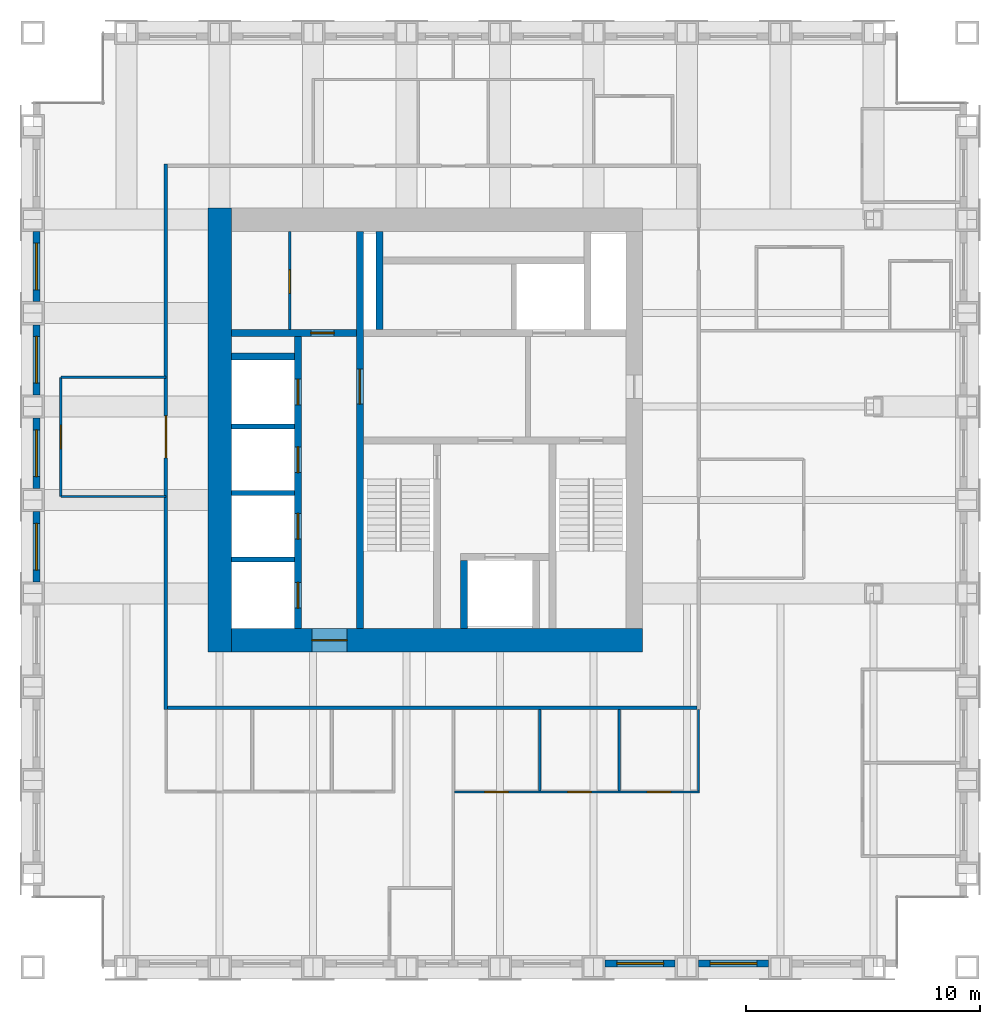
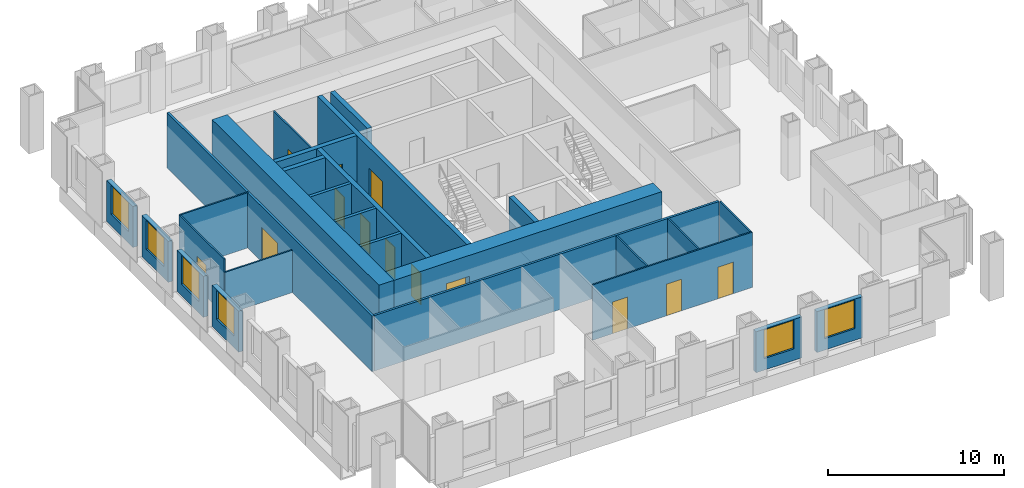
# One storey, part 8 of 13: 27 walls, 13 doors, 6 windows, 19 openings.
"""IFC4 building model written with IfcOpenShell, lengths in metres."""

from ifc_helpers import new_model, si_unit, direction, frame, frame_2d, origin, place, context, subcontext, project, spatial, rectangle, extrude, material, layer, layer_set, type_object, element, fill, save


model = new_model("IFC4")

# Units and contexts
model_context = context("Model", 3, precision=1e-05, world=origin(), true_north=direction((0.0, 1.0)))
body_context = subcontext(model_context, "Body", "Model", "MODEL_VIEW")
ifc_project = project(units=[si_unit("LENGTHUNIT", "METRE"), si_unit("AREAUNIT", "SQUARE_METRE"), si_unit("VOLUMEUNIT", "CUBIC_METRE"), si_unit("PLANEANGLEUNIT", "RADIAN"), si_unit("MASSUNIT", "GRAM", prefix="KILO")], contexts=[model_context])

# Site, building, storey
site_placement = place(None, origin())
site = spatial("IfcSite", under=ifc_project, at=site_placement, CompositionType="ELEMENT")
building_placement = place(site_placement, origin())
building = spatial("IfcBuilding", under=site, at=building_placement, Name="Rimbunsela Tower", CompositionType="ELEMENT")
storey_placement = place(building_placement, frame((0.0, 0.0, 258.199951171875)))
storey = spatial("IfcBuildingStorey", under=building, at=storey_placement, Name="L62", CompositionType="ELEMENT", Elevation=258.199951171875)

# Wall, opening, door
ifc_material_1 = material(Name="Concrete fc' 80 MPa", Category="concrete")
ifc_layer_1 = layer(ifc_material_1, 0.300048828125)
ifc_layer_set_1 = layer_set([ifc_layer_1], Name="Core internal wall 300")
wall_type_1 = type_object("IfcWallType", Name="Core internal wall 300", PredefinedType="SHEAR", material=ifc_layer_set_1)
wall_1_placement = place(storey_placement, frame((24.0, 18.5, -0.14990234375), z_axis=(0.0, 0.0, 1.0), x_axis=(0.0, 1.0, 0.0)))
wall_1 = element("IfcWall", 1, at=wall_1_placement, inside=storey, type_object=wall_type_1, Name="Core wall at stair A", PredefinedType="SHEAR", context=body_context, shape_type="SweptSolid", body=[
    extrude(rectangle(XDim=17.0, YDim=0.300048828125, at=frame_2d((8.5, 0.0))), origin(), (0.0, 0.0, 1.0), 4.0),
])
opening_1_placement = place(wall_1_placement, frame((9.60009765625, 0.0, 0.14990234375)))
opening_1 = element("IfcOpeningElement", 2, at=opening_1_placement, cuts=wall_1, Name="Opening D03", PredefinedType="OPENING", context=body_context, shape_type="SweptSolid", body=[
    extrude(rectangle(XDim=1.5, YDim=2.39990234375, at=frame_2d((0.75, 1.199951171875))), frame((0.0, 0.159912109375, 0.0), z_axis=(0.0, -1.0, 0.0), x_axis=(1.0, 0.0, 0.0)), (0.0, 0.0, 1.0), 0.320068359375),
])
ifc_material_2 = material(Name="Steel door, fire rated", Category="steel")
door_type_1 = type_object("IfcDoorType", Name="Core lobby door 1500", OperationType="DOUBLE_DOOR_DOUBLE_SWING", PredefinedType="DOOR", material=ifc_material_2)
door_1_placement = place(opening_1_placement, origin())
door_1 = element("IfcDoor", 3, at=door_1_placement, inside=storey, type_object=door_type_1, Name="West lobby door", OperationType="DOUBLE_DOOR_DOUBLE_SWING", OverallHeight=2.39990234375, OverallWidth=1.5, PredefinedType="DOOR", context=body_context, shape_type="SweptSolid", body=[
    extrude(rectangle(XDim=1.5, YDim=2.39990234375, at=frame_2d((0.75, 1.199951171875))), frame((0.0, 0.02490234375, 0.0), z_axis=(0.0, -1.0, 0.0), x_axis=(1.0, 0.0, 0.0)), (0.0, 0.0, 1.0), 0.050048828125),
])
fill(opening_1, door_1)

# Wall
wall_2_placement = place(storey_placement, frame((28.449951171875, 18.5, -0.14990234375), z_axis=(0.0, 0.0, 1.0), x_axis=(0.0, 1.0, 0.0)))
element("IfcWall", 4, at=wall_2_placement, inside=storey, type_object=wall_type_1, Name="Firefighting lift shaft west", PredefinedType="SHEAR", context=body_context, shape_type="SweptSolid", body=[
    extrude(rectangle(XDim=2.89990234375, YDim=0.300048828125, at=frame_2d((1.449951171875, 0.0))), origin(), (0.0, 0.0, 1.0), 4.0),
])

# Wall, openings, doors
wall_3_placement = place(storey_placement, frame((21.35009765625, 18.5, -0.14990234375), z_axis=(0.0, 0.0, 1.0), x_axis=(0.0, 1.0, 0.0)))
wall_3 = element("IfcWall", 5, at=wall_3_placement, inside=storey, type_object=wall_type_1, Name="Lift shaft front west", PredefinedType="SHEAR", context=body_context, shape_type="SweptSolid", body=[
    extrude(rectangle(XDim=12.5, YDim=0.300048828125, at=frame_2d((6.25, 0.0))), origin(), (0.0, 0.0, 1.0), 4.0),
])
opening_2_placement = place(wall_3_placement, frame((0.875, 0.0, 0.14990234375)))
opening_2 = element("IfcOpeningElement", 6, at=opening_2_placement, cuts=wall_3, Name="Opening LD1", PredefinedType="OPENING", context=body_context, shape_type="SweptSolid", body=[
    extrude(rectangle(XDim=1.10009765625, YDim=2.199951171875, at=frame_2d((0.550048828125, 1.10009765625))), frame((0.0, 0.159912109375, 0.0), z_axis=(0.0, -1.0, 0.0), x_axis=(1.0, 0.0, 0.0)), (0.0, 0.0, 1.0), 0.320068359375),
])
opening_3_placement = place(wall_3_placement, frame((3.824951171875, 0.0, 0.14990234375)))
opening_3 = element("IfcOpeningElement", 7, at=opening_3_placement, cuts=wall_3, Name="Opening LD1", PredefinedType="OPENING", context=body_context, shape_type="SweptSolid", body=[
    extrude(rectangle(XDim=1.10009765625, YDim=2.199951171875, at=frame_2d((0.550048828125, 1.10009765625))), frame((0.0, 0.159912109375, 0.0), z_axis=(0.0, -1.0, 0.0), x_axis=(1.0, 0.0, 0.0)), (0.0, 0.0, 1.0), 0.320068359375),
])
opening_4_placement = place(wall_3_placement, frame((6.675048828125, 0.0, 0.14990234375)))
opening_4 = element("IfcOpeningElement", 8, at=opening_4_placement, cuts=wall_3, Name="Opening LD1", PredefinedType="OPENING", context=body_context, shape_type="SweptSolid", body=[
    extrude(rectangle(XDim=1.10009765625, YDim=2.199951171875, at=frame_2d((0.550048828125, 1.10009765625))), frame((0.0, 0.159912109375, 0.0), z_axis=(0.0, -1.0, 0.0), x_axis=(1.0, 0.0, 0.0)), (0.0, 0.0, 1.0), 0.320068359375),
])
opening_5_placement = place(wall_3_placement, frame((9.574951171875, 0.0, 0.14990234375)))
opening_5 = element("IfcOpeningElement", 9, at=opening_5_placement, cuts=wall_3, Name="Opening LD1", PredefinedType="OPENING", context=body_context, shape_type="SweptSolid", body=[
    extrude(rectangle(XDim=1.10009765625, YDim=2.199951171875, at=frame_2d((0.550048828125, 1.10009765625))), frame((0.0, 0.159912109375, 0.0), z_axis=(0.0, -1.0, 0.0), x_axis=(1.0, 0.0, 0.0)), (0.0, 0.0, 1.0), 0.320068359375),
])
ifc_material_3 = material(Name="Steel door, fire rated", Category="steel")
door_type_2 = type_object("IfcDoorType", Name="Lift landing door 1100", OperationType="DOUBLE_DOOR_SLIDING", PredefinedType="DOOR", material=ifc_material_3)
door_2_placement = place(opening_2_placement, origin())
door_2 = element("IfcDoor", 10, at=door_2_placement, inside=storey, type_object=door_type_2, Name="Lift landing door TL1", OperationType="DOUBLE_DOOR_SLIDING", OverallHeight=2.199951171875, OverallWidth=1.10009765625, PredefinedType="DOOR", context=body_context, shape_type="SweptSolid", body=[
    extrude(rectangle(XDim=1.10009765625, YDim=2.199951171875, at=frame_2d((0.550048828125, 1.10009765625))), frame((0.0, 0.02490234375, 0.0), z_axis=(0.0, -1.0, 0.0), x_axis=(1.0, 0.0, 0.0)), (0.0, 0.0, 1.0), 0.050048828125),
])
fill(opening_2, door_2)
door_3_placement = place(opening_3_placement, origin())
door_3 = element("IfcDoor", 11, at=door_3_placement, inside=storey, type_object=door_type_2, Name="Lift landing door TL2", OperationType="DOUBLE_DOOR_SLIDING", OverallHeight=2.199951171875, OverallWidth=1.10009765625, PredefinedType="DOOR", context=body_context, shape_type="SweptSolid", body=[
    extrude(rectangle(XDim=1.10009765625, YDim=2.199951171875, at=frame_2d((0.550048828125, 1.10009765625))), frame((0.0, 0.02490234375, 0.0), z_axis=(0.0, -1.0, 0.0), x_axis=(1.0, 0.0, 0.0)), (0.0, 0.0, 1.0), 0.050048828125),
])
fill(opening_3, door_3)
door_4_placement = place(opening_4_placement, origin())
door_4 = element("IfcDoor", 12, at=door_4_placement, inside=storey, type_object=door_type_2, Name="Lift landing door TL3", OperationType="DOUBLE_DOOR_SLIDING", OverallHeight=2.199951171875, OverallWidth=1.10009765625, PredefinedType="DOOR", context=body_context, shape_type="SweptSolid", body=[
    extrude(rectangle(XDim=1.10009765625, YDim=2.199951171875, at=frame_2d((0.550048828125, 1.10009765625))), frame((0.0, 0.02490234375, 0.0), z_axis=(0.0, -1.0, 0.0), x_axis=(1.0, 0.0, 0.0)), (0.0, 0.0, 1.0), 0.050048828125),
])
fill(opening_4, door_4)
door_5_placement = place(opening_5_placement, origin())
door_5 = element("IfcDoor", 13, at=door_5_placement, inside=storey, type_object=door_type_2, Name="Lift landing door TL4", OperationType="DOUBLE_DOOR_SLIDING", OverallHeight=2.199951171875, OverallWidth=1.10009765625, PredefinedType="DOOR", context=body_context, shape_type="SweptSolid", body=[
    extrude(rectangle(XDim=1.10009765625, YDim=2.199951171875, at=frame_2d((0.550048828125, 1.10009765625))), frame((0.0, 0.02490234375, 0.0), z_axis=(0.0, -1.0, 0.0), x_axis=(1.0, 0.0, 0.0)), (0.0, 0.0, 1.0), 0.050048828125),
])
fill(opening_5, door_5)

# Wall, opening, door
wall_4_placement = place(storey_placement, frame((18.5, 31.14990234375, -0.14990234375), z_axis=(0.0, 0.0, 1.0), x_axis=(1.0, 0.0, 0.0)))
wall_4 = element("IfcWall", 14, at=wall_4_placement, inside=storey, type_object=wall_type_1, Name="Store wall", PredefinedType="SHEAR", context=body_context, shape_type="SweptSolid", body=[
    extrude(rectangle(XDim=5.35009765625, YDim=0.300048828125, at=frame_2d((2.675048828125, 0.0))), origin(), (0.0, 0.0, 1.0), 4.0),
])
opening_6_placement = place(wall_4_placement, frame((3.39990234375, 0.0, 0.14990234375)))
opening_6 = element("IfcOpeningElement", 15, at=opening_6_placement, cuts=wall_4, Name="Opening D19", PredefinedType="OPENING", context=body_context, shape_type="SweptSolid", body=[
    extrude(rectangle(XDim=1.0, YDim=2.199951171875, at=frame_2d((0.5, 1.10009765625))), frame((0.0, 0.159912109375, 0.0), z_axis=(0.0, -1.0, 0.0), x_axis=(1.0, 0.0, 0.0)), (0.0, 0.0, 1.0), 0.320068359375),
])
ifc_material_4 = material(Name="Steel door, fire rated", Category="steel")
door_type_3 = type_object("IfcDoorType", Name="Service door 1000 fire rated", OperationType="SINGLE_SWING_LEFT", PredefinedType="DOOR", material=ifc_material_4)
door_6_placement = place(opening_6_placement, origin())
door_6 = element("IfcDoor", 16, at=door_6_placement, inside=storey, type_object=door_type_3, Name="Facilities store door", OperationType="SINGLE_SWING_LEFT", OverallHeight=2.199951171875, OverallWidth=1.0, PredefinedType="DOOR", context=body_context, shape_type="SweptSolid", body=[
    extrude(rectangle(XDim=1.0, YDim=2.199951171875, at=frame_2d((0.5, 1.10009765625))), frame((0.0, 0.02490234375, 0.0), z_axis=(0.0, -1.0, 0.0), x_axis=(1.0, 0.0, 0.0)), (0.0, 0.0, 1.0), 0.050048828125),
])
fill(opening_6, door_6)

# Walls
wall_5_placement = place(storey_placement, frame((18.5, 30.14990234375, -0.14990234375), z_axis=(0.0, 0.0, 1.0), x_axis=(1.0, 0.0, 0.0)))
element("IfcWall", 17, at=wall_5_placement, inside=storey, type_object=wall_type_1, Name="Lift shaft rear west", PredefinedType="SHEAR", context=body_context, shape_type="SweptSolid", body=[
    extrude(rectangle(XDim=2.699951171875, YDim=0.300048828125, at=frame_2d((1.35009765625, 0.0))), origin(), (0.0, 0.0, 1.0), 4.0),
])
wall_6_placement = place(storey_placement, frame((24.85009765625, 31.300048828125, -0.14990234375), z_axis=(0.0, 0.0, 1.0), x_axis=(0.0, 1.0, 0.0)))
element("IfcWall", 18, at=wall_6_placement, inside=storey, type_object=wall_type_1, Name="Riser wall", PredefinedType="SHEAR", context=body_context, shape_type="SweptSolid", body=[
    extrude(rectangle(XDim=4.199951171875, YDim=0.300048828125, at=frame_2d((2.10009765625, 0.0))), origin(), (0.0, 0.0, 1.0), 4.0),
])

# Wall, opening, door
ifc_material_5 = material(Name="Concrete blockwork", Category="masonry")
ifc_layer_2 = layer(ifc_material_5, 0.10009765625)
ifc_layer_set_2 = layer_set([ifc_layer_2], Name="Core room partition 100")
wall_type_2 = type_object("IfcWallType", Name="Core room partition 100", PredefinedType="PARTITIONING", material=ifc_layer_set_2)
wall_7_placement = place(storey_placement, frame((21.0, 31.300048828125, 0.0), z_axis=(0.0, 0.0, 1.0), x_axis=(0.0, 1.0, 0.0)))
wall_7 = element("IfcWall", 19, at=wall_7_placement, inside=storey, type_object=wall_type_2, Name="Equipment store wall", PredefinedType="PARTITIONING", context=body_context, shape_type="SweptSolid", body=[
    extrude(rectangle(XDim=4.199951171875, YDim=0.10009765625, at=frame_2d((2.10009765625, 0.0))), origin(), (0.0, 0.0, 1.0), 3.85009765625),
])
opening_7_placement = place(wall_7_placement, frame((1.550048828125, 0.0, 0.0)))
opening_7 = element("IfcOpeningElement", 20, at=opening_7_placement, cuts=wall_7, Name="Opening D19", PredefinedType="OPENING", context=body_context, shape_type="SweptSolid", body=[
    extrude(rectangle(XDim=1.0, YDim=2.199951171875, at=frame_2d((0.5, 1.10009765625))), frame((0.0, 0.06005859375, 0.0), z_axis=(0.0, -1.0, 0.0), x_axis=(1.0, 0.0, 0.0)), (0.0, 0.0, 1.0), 0.1201171875),
])
door_7_placement = place(opening_7_placement, origin())
door_7 = element("IfcDoor", 21, at=door_7_placement, inside=storey, type_object=door_type_3, Name="Equipment store door", OperationType="SINGLE_SWING_LEFT", OverallHeight=2.199951171875, OverallWidth=1.0, PredefinedType="DOOR", context=body_context, shape_type="SweptSolid", body=[
    extrude(rectangle(XDim=1.0, YDim=2.199951171875, at=frame_2d((0.5, 1.10009765625))), frame((0.0, 0.02490234375, 0.0), z_axis=(0.0, -1.0, 0.0), x_axis=(1.0, 0.0, 0.0)), (0.0, 0.0, 1.0), 0.050048828125),
])
fill(opening_7, door_7)

# Wall
ifc_material_6 = material(Name="Concrete fc' 80 MPa", Category="concrete")
ifc_layer_3 = layer(ifc_material_6, 1.0)
ifc_layer_set_3 = layer_set([ifc_layer_3], Name="Core wall 1000")
wall_type_3 = type_object("IfcWallType", Name="Core wall 1000", PredefinedType="SHEAR", material=ifc_layer_set_3)
wall_8_placement = place(storey_placement, frame((18.0, 17.5, -0.14990234375), z_axis=(0.0, 0.0, 1.0), x_axis=(0.0, 1.0, 0.0)))
element("IfcWall", 22, at=wall_8_placement, inside=storey, type_object=wall_type_3, Name="Core wall west", PredefinedType="SHEAR", context=body_context, shape_type="SweptSolid", body=[
    extrude(rectangle(XDim=19.0, YDim=1.0, at=frame_2d((9.5, 0.0))), origin(), (0.0, 0.0, 1.0), 4.0),
])

# Wall, opening, door
wall_9_placement = place(storey_placement, frame((18.5, 18.0, -0.14990234375), z_axis=(0.0, 0.0, 1.0), x_axis=(1.0, 0.0, 0.0)))
wall_9 = element("IfcWall", 23, at=wall_9_placement, inside=storey, type_object=wall_type_3, Name="Core wall south", PredefinedType="SHEAR", context=body_context, shape_type="SweptSolid", body=[
    extrude(rectangle(XDim=17.60009765625, YDim=1.0, at=frame_2d((8.800048828125, 0.0))), origin(), (0.0, 0.0, 1.0), 4.0),
])
opening_8_placement = place(wall_9_placement, frame((3.449951171875, 0.0, 0.14990234375)))
opening_8 = element("IfcOpeningElement", 24, at=opening_8_placement, cuts=wall_9, Name="Opening D03", PredefinedType="OPENING", context=body_context, shape_type="SweptSolid", body=[
    extrude(rectangle(XDim=1.5, YDim=2.39990234375, at=frame_2d((0.75, 1.199951171875))), frame((0.0, 0.510009765625, 0.0), z_axis=(0.0, -1.0, 0.0), x_axis=(1.0, 0.0, 0.0)), (0.0, 0.0, 1.0), 1.02001953125),
])
door_8_placement = place(opening_8_placement, origin())
door_8 = element("IfcDoor", 25, at=door_8_placement, inside=storey, type_object=door_type_1, Name="Core door south", OperationType="DOUBLE_DOOR_DOUBLE_SWING", OverallHeight=2.39990234375, OverallWidth=1.5, PredefinedType="DOOR", context=body_context, shape_type="SweptSolid", body=[
    extrude(rectangle(XDim=1.5, YDim=2.39990234375, at=frame_2d((0.75, 1.199951171875))), frame((0.0, 0.02490234375, 0.0), z_axis=(0.0, -1.0, 0.0), x_axis=(1.0, 0.0, 0.0)), (0.0, 0.0, 1.0), 0.050048828125),
])
fill(opening_8, door_8)

# Walls
ifc_material_7 = material(Name="Concrete blockwork", Category="masonry")
ifc_layer_4 = layer(ifc_material_7, 0.199951171875)
ifc_layer_set_4 = layer_set([ifc_layer_4], Name="Lift shaft wall 200")
wall_type_4 = type_object("IfcWallType", Name="Lift shaft wall 200", PredefinedType="SOLIDWALL", material=ifc_layer_set_4)
for number, where, z_axis, x_axis, name in (
    (26, (18.5, 21.449951171875, -0.14990234375), (0.0, 0.0, 1.0), (1.0, 0.0, 0.0), "Lift shaft separation"),
    (27, (18.5, 24.300048828125, -0.14990234375), (0.0, 0.0, 1.0), (1.0, 0.0, 0.0), "Lift shaft separation"),
    (28, (18.5, 27.14990234375, -0.14990234375), (0.0, 0.0, 1.0), (1.0, 0.0, 0.0), "Lift shaft separation"),
):
    element("IfcWall", number, at=place(storey_placement, frame(where, z_axis=z_axis, x_axis=x_axis)), inside=storey, type_object=wall_type_4, Name=name, PredefinedType="SOLIDWALL", context=body_context, shape_type="SweptSolid", body=[
        extrude(rectangle(XDim=2.699951171875, YDim=0.199951171875, at=frame_2d((1.35009765625, 0.0))), origin(), (0.0, 0.0, 1.0), 4.0),
    ])

# Wall, openings, doors
ifc_material_8 = material(Name="Gypsum board on steel studs", Category="steel")
ifc_layer_5 = layer(ifc_material_8, 0.10009765625)
ifc_layer_set_5 = layer_set([ifc_layer_5], Name="Office partition 100")
wall_type_5 = type_object("IfcWallType", Name="Office partition 100", PredefinedType="PARTITIONING", material=ifc_layer_set_5)
wall_10_placement = place(storey_placement, frame((28.06103515625, 11.5, 0.0), z_axis=(0.0, 0.0, 1.0), x_axis=(1.0, 0.0, 0.0)))
wall_10 = element("IfcWall", 29, at=wall_10_placement, inside=storey, type_object=wall_type_5, Name="Office partition", PredefinedType="PARTITIONING", context=body_context, shape_type="SweptSolid", body=[
    extrude(rectangle(XDim=10.489013671875, YDim=0.10009765625, at=frame_2d((5.24462890625, 0.0))), origin(), (0.0, 0.0, 1.0), 3.85009765625),
])
opening_9_placement = place(wall_10_placement, frame((1.2900390625, 0.0, 0.0)))
opening_9 = element("IfcOpeningElement", 30, at=opening_9_placement, cuts=wall_10, Name="Opening D17", PredefinedType="OPENING", context=body_context, shape_type="SweptSolid", body=[
    extrude(rectangle(XDim=1.0, YDim=2.199951171875, at=frame_2d((0.5, 1.10009765625))), frame((0.0, 0.06005859375, 0.0), z_axis=(0.0, -1.0, 0.0), x_axis=(1.0, 0.0, 0.0)), (0.0, 0.0, 1.0), 0.1201171875),
])
opening_10_placement = place(wall_10_placement, frame((4.840087890625, 0.0, 0.0)))
opening_10 = element("IfcOpeningElement", 31, at=opening_10_placement, cuts=wall_10, Name="Opening D16", PredefinedType="OPENING", context=body_context, shape_type="SweptSolid", body=[
    extrude(rectangle(XDim=1.0, YDim=2.199951171875, at=frame_2d((0.5, 1.10009765625))), frame((0.0, 0.06005859375, 0.0), z_axis=(0.0, -1.0, 0.0), x_axis=(1.0, 0.0, 0.0)), (0.0, 0.0, 1.0), 0.1201171875),
])
opening_11_placement = place(wall_10_placement, frame((8.239501953125, 0.0, 0.0)))
opening_11 = element("IfcOpeningElement", 32, at=opening_11_placement, cuts=wall_10, Name="Opening D16", PredefinedType="OPENING", context=body_context, shape_type="SweptSolid", body=[
    extrude(rectangle(XDim=1.0, YDim=2.199951171875, at=frame_2d((0.5, 1.10009765625))), frame((0.0, 0.06005859375, 0.0), z_axis=(0.0, -1.0, 0.0), x_axis=(1.0, 0.0, 0.0)), (0.0, 0.0, 1.0), 0.1201171875),
])
ifc_material_9 = material(Name="Glazed aluminium door", Category="aluminium")
door_type_4 = type_object("IfcDoorType", Name="Meeting room door 1000 glazed", OperationType="SINGLE_SWING_RIGHT", PredefinedType="DOOR", material=ifc_material_9)
door_9_placement = place(opening_9_placement, origin())
door_9 = element("IfcDoor", 33, at=door_9_placement, inside=storey, type_object=door_type_4, Name="Meeting room door", OperationType="SINGLE_SWING_RIGHT", OverallHeight=2.199951171875, OverallWidth=1.0, PredefinedType="DOOR", context=body_context, shape_type="SweptSolid", body=[
    extrude(rectangle(XDim=1.0, YDim=2.199951171875, at=frame_2d((0.5, 1.10009765625))), frame((0.0, 0.02490234375, 0.0), z_axis=(0.0, -1.0, 0.0), x_axis=(1.0, 0.0, 0.0)), (0.0, 0.0, 1.0), 0.050048828125),
])
fill(opening_9, door_9)
ifc_material_10 = material(Name="Timber door", Category="wood")
door_type_5 = type_object("IfcDoorType", Name="Office door 1000", OperationType="SINGLE_SWING_LEFT", PredefinedType="DOOR", material=ifc_material_10)
door_10_placement = place(opening_10_placement, origin())
door_10 = element("IfcDoor", 34, at=door_10_placement, inside=storey, type_object=door_type_5, Name="Office door", OperationType="SINGLE_SWING_LEFT", OverallHeight=2.199951171875, OverallWidth=1.0, PredefinedType="DOOR", context=body_context, shape_type="SweptSolid", body=[
    extrude(rectangle(XDim=1.0, YDim=2.199951171875, at=frame_2d((0.5, 1.10009765625))), frame((0.0, 0.02490234375, 0.0), z_axis=(0.0, -1.0, 0.0), x_axis=(1.0, 0.0, 0.0)), (0.0, 0.0, 1.0), 0.050048828125),
])
fill(opening_10, door_10)
door_11_placement = place(opening_11_placement, origin())
door_11 = element("IfcDoor", 35, at=door_11_placement, inside=storey, type_object=door_type_5, Name="Office door", OperationType="SINGLE_SWING_LEFT", OverallHeight=2.199951171875, OverallWidth=1.0, PredefinedType="DOOR", context=body_context, shape_type="SweptSolid", body=[
    extrude(rectangle(XDim=1.0, YDim=2.199951171875, at=frame_2d((0.5, 1.10009765625))), frame((0.0, 0.02490234375, 0.0), z_axis=(0.0, -1.0, 0.0), x_axis=(1.0, 0.0, 0.0)), (0.0, 0.0, 1.0), 0.050048828125),
])
fill(opening_11, door_11)

# Walls
for number, where, z_axis, x_axis, name in (
    (36, (31.700927734375, 11.550048828125, 0.0), (0.0, 0.0, 1.0), (0.0, 1.0, 0.0), "Office partition"),
    (37, (35.10107421875, 11.550048828125, 0.0), (0.0, 0.0, 1.0), (0.0, 1.0, 0.0), "Office partition"),
    (38, (38.5, 11.550048828125, 0.0), (0.0, 0.0, 1.0), (0.0, 1.0, 0.0), "Office partition"),
):
    element("IfcWall", number, at=place(storey_placement, frame(where, z_axis=z_axis, x_axis=x_axis)), inside=storey, type_object=wall_type_5, Name=name, PredefinedType="PARTITIONING", context=body_context, shape_type="SweptSolid", body=[
        extrude(rectangle(XDim=3.474853515625, YDim=0.10009765625, at=frame_2d((1.7373046875, 0.0))), origin(), (0.0, 0.0, 1.0), 3.85009765625),
    ])
wall_11_placement = place(storey_placement, frame((15.699951171875, 29.25, 0.0), z_axis=(0.0, 0.0, 1.0), x_axis=(-1.0, 0.0, 0.0)))
element("IfcWall", 39, at=wall_11_placement, inside=storey, type_object=wall_type_5, Name="Office partition", PredefinedType="PARTITIONING", context=body_context, shape_type="SweptSolid", body=[
    extrude(rectangle(XDim=4.5, YDim=0.10009765625, at=frame_2d((2.25, 0.0))), origin(), (0.0, 0.0, 1.0), 3.85009765625),
])

# Wall, opening, door
wall_12_placement = place(storey_placement, frame((11.199951171875, 29.25, 0.0), z_axis=(0.0, 0.0, 1.0), x_axis=(0.0, -1.0, 0.0)))
wall_12 = element("IfcWall", 40, at=wall_12_placement, inside=storey, type_object=wall_type_5, Name="Office partition", PredefinedType="PARTITIONING", context=body_context, shape_type="SweptSolid", body=[
    extrude(rectangle(XDim=5.10009765625, YDim=0.10009765625, at=frame_2d((2.550048828125, 0.0))), origin(), (0.0, 0.0, 1.0), 3.85009765625),
])
opening_12_placement = place(wall_12_placement, frame((2.050048828125, 0.0, 0.0)))
opening_12 = element("IfcOpeningElement", 41, at=opening_12_placement, cuts=wall_12, Name="Opening D17", PredefinedType="OPENING", context=body_context, shape_type="SweptSolid", body=[
    extrude(rectangle(XDim=1.0, YDim=2.199951171875, at=frame_2d((0.5, 1.10009765625))), frame((0.0, 0.06005859375, 0.0), z_axis=(0.0, -1.0, 0.0), x_axis=(1.0, 0.0, 0.0)), (0.0, 0.0, 1.0), 0.1201171875),
])
door_12_placement = place(opening_12_placement, origin())
door_12 = element("IfcDoor", 42, at=door_12_placement, inside=storey, type_object=door_type_4, Name="Reception door", OperationType="SINGLE_SWING_RIGHT", OverallHeight=2.199951171875, OverallWidth=1.0, PredefinedType="DOOR", context=body_context, shape_type="SweptSolid", body=[
    extrude(rectangle(XDim=1.0, YDim=2.199951171875, at=frame_2d((0.5, 1.10009765625))), frame((0.0, 0.02490234375, 0.0), z_axis=(0.0, -1.0, 0.0), x_axis=(1.0, 0.0, 0.0)), (0.0, 0.0, 1.0), 0.050048828125),
])
fill(opening_12, door_12)

# Wall
wall_13_placement = place(storey_placement, frame((11.199951171875, 24.14990234375, 0.0), z_axis=(0.0, 0.0, 1.0), x_axis=(1.0, 0.0, 0.0)))
element("IfcWall", 43, at=wall_13_placement, inside=storey, type_object=wall_type_5, Name="Office partition", PredefinedType="PARTITIONING", context=body_context, shape_type="SweptSolid", body=[
    extrude(rectangle(XDim=4.5, YDim=0.10009765625, at=frame_2d((2.25, 0.0))), origin(), (0.0, 0.0, 1.0), 2.949951171875),
])

# Wall, opening, window
ifc_material_11 = material(Name="Precast concrete fc' 35 MPa", Category="concrete")
ifc_layer_6 = layer(ifc_material_11, 0.300048828125)
ifc_layer_set_6 = layer_set([ifc_layer_6], Name="Precast concrete fc' 35 MPa")
wall_type_6 = type_object("IfcWallType", Name="Precast facade panel 300", PredefinedType="ELEMENTEDWALL", material=ifc_layer_set_6)
wall_14_placement = place(storey_placement, frame((34.5, 4.14990234375, 0.0), z_axis=(0.0, 0.0, 1.0), x_axis=(1.0, 0.0, 0.0)))
wall_14 = element("IfcWall", 44, at=wall_14_placement, inside=storey, type_object=wall_type_6, Name="Facade panel S L62", PredefinedType="ELEMENTEDWALL", context=body_context, shape_type="SweptSolid", body=[
    extrude(rectangle(XDim=3.0, YDim=0.300048828125, at=frame_2d((1.5, 0.0))), origin(), (0.0, 0.0, 1.0), 2.85009765625),
])
opening_13_placement = place(wall_14_placement, frame((0.5, 0.0, 0.800048828125)))
opening_13 = element("IfcOpeningElement", 45, at=opening_13_placement, cuts=wall_14, Name="Opening W1", PredefinedType="OPENING", context=body_context, shape_type="SweptSolid", body=[
    extrude(rectangle(XDim=2.0, YDim=2.0, at=frame_2d((1.0, 1.0))), frame((0.0, 0.159912109375, 0.0), z_axis=(0.0, -1.0, 0.0), x_axis=(1.0, 0.0, 0.0)), (0.0, 0.0, 1.0), 0.320068359375),
])
ifc_material_12 = material(Name="Clear glass in aluminium frame", Category="aluminium")
window_type = type_object("IfcWindowType", Name="Window W1 2000x2000", PartitioningType="DOUBLE_PANEL_VERTICAL", PredefinedType="WINDOW", material=ifc_material_12)
window_1_placement = place(opening_13_placement, origin())
window_1 = element("IfcWindow", 46, at=window_1_placement, inside=storey, type_object=window_type, Name="Window L62", OverallHeight=2.0, OverallWidth=2.0, PartitioningType="SINGLE_PANEL", PredefinedType="WINDOW", context=body_context, shape_type="SweptSolid", body=[
    extrude(rectangle(XDim=2.0, YDim=2.0, at=frame_2d((1.0, 1.0))), frame((0.0, 0.030029296875, 0.0), z_axis=(0.0, -1.0, 0.0), x_axis=(1.0, 0.0, 0.0)), (0.0, 0.0, 1.0), 0.06005859375),
])
fill(opening_13, window_1)

wall_15_placement = place(storey_placement, frame((38.5, 4.14990234375, 0.0), z_axis=(0.0, 0.0, 1.0), x_axis=(1.0, 0.0, 0.0)))
wall_15 = element("IfcWall", 47, at=wall_15_placement, inside=storey, type_object=wall_type_6, Name="Facade panel S L62", PredefinedType="ELEMENTEDWALL", context=body_context, shape_type="SweptSolid", body=[
    extrude(rectangle(XDim=3.0, YDim=0.300048828125, at=frame_2d((1.5, 0.0))), origin(), (0.0, 0.0, 1.0), 2.85009765625),
])
opening_14_placement = place(wall_15_placement, frame((0.5, 0.0, 0.800048828125)))
opening_14 = element("IfcOpeningElement", 48, at=opening_14_placement, cuts=wall_15, Name="Opening W1", PredefinedType="OPENING", context=body_context, shape_type="SweptSolid", body=[
    extrude(rectangle(XDim=2.0, YDim=2.0, at=frame_2d((1.0, 1.0))), frame((0.0, 0.159912109375, 0.0), z_axis=(0.0, -1.0, 0.0), x_axis=(1.0, 0.0, 0.0)), (0.0, 0.0, 1.0), 0.320068359375),
])
window_2_placement = place(opening_14_placement, origin())
window_2 = element("IfcWindow", 49, at=window_2_placement, inside=storey, type_object=window_type, Name="Window L62", OverallHeight=2.0, OverallWidth=2.0, PartitioningType="SINGLE_PANEL", PredefinedType="WINDOW", context=body_context, shape_type="SweptSolid", body=[
    extrude(rectangle(XDim=2.0, YDim=2.0, at=frame_2d((1.0, 1.0))), frame((0.0, 0.030029296875, 0.0), z_axis=(0.0, -1.0, 0.0), x_axis=(1.0, 0.0, 0.0)), (0.0, 0.0, 1.0), 0.06005859375),
])
fill(opening_14, window_2)

wall_16_placement = place(storey_placement, frame((10.14990234375, 23.5, 0.0), z_axis=(0.0, 0.0, 1.0), x_axis=(0.0, -1.0, 0.0)))
wall_16 = element("IfcWall", 50, at=wall_16_placement, inside=storey, type_object=wall_type_6, Name="Facade panel W L62", PredefinedType="ELEMENTEDWALL", context=body_context, shape_type="SweptSolid", body=[
    extrude(rectangle(XDim=3.0, YDim=0.300048828125, at=frame_2d((1.5, 0.0))), origin(), (0.0, 0.0, 1.0), 2.85009765625),
])
opening_15_placement = place(wall_16_placement, frame((0.5, 0.0, 0.800048828125)))
opening_15 = element("IfcOpeningElement", 51, at=opening_15_placement, cuts=wall_16, Name="Opening W1", PredefinedType="OPENING", context=body_context, shape_type="SweptSolid", body=[
    extrude(rectangle(XDim=2.0, YDim=2.0, at=frame_2d((1.0, 1.0))), frame((0.0, 0.159912109375, 0.0), z_axis=(0.0, -1.0, 0.0), x_axis=(1.0, 0.0, 0.0)), (0.0, 0.0, 1.0), 0.320068359375),
])
window_3_placement = place(opening_15_placement, origin())
window_3 = element("IfcWindow", 52, at=window_3_placement, inside=storey, type_object=window_type, Name="Window L62", OverallHeight=2.0, OverallWidth=2.0, PartitioningType="SINGLE_PANEL", PredefinedType="WINDOW", context=body_context, shape_type="SweptSolid", body=[
    extrude(rectangle(XDim=2.0, YDim=2.0, at=frame_2d((1.0, 1.0))), frame((0.0, 0.030029296875, 0.0), z_axis=(0.0, -1.0, 0.0), x_axis=(1.0, 0.0, 0.0)), (0.0, 0.0, 1.0), 0.06005859375),
])
fill(opening_15, window_3)

wall_17_placement = place(storey_placement, frame((10.14990234375, 27.5, 0.0), z_axis=(0.0, 0.0, 1.0), x_axis=(0.0, -1.0, 0.0)))
wall_17 = element("IfcWall", 53, at=wall_17_placement, inside=storey, type_object=wall_type_6, Name="Facade panel W L62", PredefinedType="ELEMENTEDWALL", context=body_context, shape_type="SweptSolid", body=[
    extrude(rectangle(XDim=3.0, YDim=0.300048828125, at=frame_2d((1.5, 0.0))), origin(), (0.0, 0.0, 1.0), 2.85009765625),
])
opening_16_placement = place(wall_17_placement, frame((0.5, 0.0, 0.800048828125)))
opening_16 = element("IfcOpeningElement", 54, at=opening_16_placement, cuts=wall_17, Name="Opening W1", PredefinedType="OPENING", context=body_context, shape_type="SweptSolid", body=[
    extrude(rectangle(XDim=2.0, YDim=2.0, at=frame_2d((1.0, 1.0))), frame((0.0, 0.159912109375, 0.0), z_axis=(0.0, -1.0, 0.0), x_axis=(1.0, 0.0, 0.0)), (0.0, 0.0, 1.0), 0.320068359375),
])
window_4_placement = place(opening_16_placement, origin())
window_4 = element("IfcWindow", 55, at=window_4_placement, inside=storey, type_object=window_type, Name="Window L62", OverallHeight=2.0, OverallWidth=2.0, PartitioningType="SINGLE_PANEL", PredefinedType="WINDOW", context=body_context, shape_type="SweptSolid", body=[
    extrude(rectangle(XDim=2.0, YDim=2.0, at=frame_2d((1.0, 1.0))), frame((0.0, 0.030029296875, 0.0), z_axis=(0.0, -1.0, 0.0), x_axis=(1.0, 0.0, 0.0)), (0.0, 0.0, 1.0), 0.06005859375),
])
fill(opening_16, window_4)

wall_18_placement = place(storey_placement, frame((10.14990234375, 31.5, 0.0), z_axis=(0.0, 0.0, 1.0), x_axis=(0.0, -1.0, 0.0)))
wall_18 = element("IfcWall", 56, at=wall_18_placement, inside=storey, type_object=wall_type_6, Name="Facade panel W L62", PredefinedType="ELEMENTEDWALL", context=body_context, shape_type="SweptSolid", body=[
    extrude(rectangle(XDim=3.0, YDim=0.300048828125, at=frame_2d((1.5, 0.0))), origin(), (0.0, 0.0, 1.0), 2.85009765625),
])
opening_17_placement = place(wall_18_placement, frame((0.5, 0.0, 0.800048828125)))
opening_17 = element("IfcOpeningElement", 57, at=opening_17_placement, cuts=wall_18, Name="Opening W1", PredefinedType="OPENING", context=body_context, shape_type="SweptSolid", body=[
    extrude(rectangle(XDim=2.0, YDim=2.0, at=frame_2d((1.0, 1.0))), frame((0.0, 0.159912109375, 0.0), z_axis=(0.0, -1.0, 0.0), x_axis=(1.0, 0.0, 0.0)), (0.0, 0.0, 1.0), 0.320068359375),
])
window_5_placement = place(opening_17_placement, origin())
window_5 = element("IfcWindow", 58, at=window_5_placement, inside=storey, type_object=window_type, Name="Window L62", OverallHeight=2.0, OverallWidth=2.0, PartitioningType="SINGLE_PANEL", PredefinedType="WINDOW", context=body_context, shape_type="SweptSolid", body=[
    extrude(rectangle(XDim=2.0, YDim=2.0, at=frame_2d((1.0, 1.0))), frame((0.0, 0.030029296875, 0.0), z_axis=(0.0, -1.0, 0.0), x_axis=(1.0, 0.0, 0.0)), (0.0, 0.0, 1.0), 0.06005859375),
])
fill(opening_17, window_5)

wall_19_placement = place(storey_placement, frame((10.14990234375, 35.5, 0.0), z_axis=(0.0, 0.0, 1.0), x_axis=(0.0, -1.0, 0.0)))
wall_19 = element("IfcWall", 59, at=wall_19_placement, inside=storey, type_object=wall_type_6, Name="Facade panel W L62", PredefinedType="ELEMENTEDWALL", context=body_context, shape_type="SweptSolid", body=[
    extrude(rectangle(XDim=3.0, YDim=0.300048828125, at=frame_2d((1.5, 0.0))), origin(), (0.0, 0.0, 1.0), 2.85009765625),
])
opening_18_placement = place(wall_19_placement, frame((0.5, 0.0, 0.800048828125)))
opening_18 = element("IfcOpeningElement", 60, at=opening_18_placement, cuts=wall_19, Name="Opening W1", PredefinedType="OPENING", context=body_context, shape_type="SweptSolid", body=[
    extrude(rectangle(XDim=2.0, YDim=2.0, at=frame_2d((1.0, 1.0))), frame((0.0, 0.159912109375, 0.0), z_axis=(0.0, -1.0, 0.0), x_axis=(1.0, 0.0, 0.0)), (0.0, 0.0, 1.0), 0.320068359375),
])
window_6_placement = place(opening_18_placement, origin())
window_6 = element("IfcWindow", 61, at=window_6_placement, inside=storey, type_object=window_type, Name="Window L62", OverallHeight=2.0, OverallWidth=2.0, PartitioningType="SINGLE_PANEL", PredefinedType="WINDOW", context=body_context, shape_type="SweptSolid", body=[
    extrude(rectangle(XDim=2.0, YDim=2.0, at=frame_2d((1.0, 1.0))), frame((0.0, 0.030029296875, 0.0), z_axis=(0.0, -1.0, 0.0), x_axis=(1.0, 0.0, 0.0)), (0.0, 0.0, 1.0), 0.06005859375),
])
fill(opening_18, window_6)

# Wall, opening, door
ifc_material_13 = material(Name="Fire-rated gypsum board on steel studs, EI 60", Category="steel")
ifc_layer_7 = layer(ifc_material_13, 0.14990234375)
ifc_layer_set_7 = layer_set([ifc_layer_7], Name="Rated corridor wall 150")
wall_type_7 = type_object("IfcWallType", Name="Rated corridor wall 150", PredefinedType="PARTITIONING", material=ifc_layer_set_7)
wall_20_placement = place(storey_placement, frame((15.699951171875, 15.02490234375, 0.0), z_axis=(0.0, 0.0, 1.0), x_axis=(0.0, 1.0, 0.0)))
wall_20 = element("IfcWall", 62, at=wall_20_placement, inside=storey, type_object=wall_type_7, Name="Corridor wall west", PredefinedType="PARTITIONING", context=body_context, shape_type="SweptSolid", body=[
    extrude(rectangle(XDim=23.35009765625, YDim=0.14990234375, at=frame_2d((11.675048828125, 0.0))), origin(), (0.0, 0.0, 1.0), 3.85009765625),
])
opening_19_placement = place(wall_20_placement, frame((10.77490234375, 0.0, 0.0)))
opening_19 = element("IfcOpeningElement", 63, at=opening_19_placement, cuts=wall_20, Name="Opening D09", PredefinedType="OPENING", context=body_context, shape_type="SweptSolid", body=[
    extrude(rectangle(XDim=1.800048828125, YDim=2.39990234375, at=frame_2d((0.89990234375, 1.199951171875))), frame((0.0, 0.0849609375, 0.0), z_axis=(0.0, -1.0, 0.0), x_axis=(1.0, 0.0, 0.0)), (0.0, 0.0, 1.0), 0.169921875),
])
ifc_material_14 = material(Name="Glazed aluminium door, fire rated", Category="aluminium")
door_type_6 = type_object("IfcDoorType", Name="Tenancy door 1800 glazed", OperationType="DOUBLE_DOOR_DOUBLE_SWING", PredefinedType="DOOR", material=ifc_material_14)
door_13_placement = place(opening_19_placement, origin())
door_13 = element("IfcDoor", 64, at=door_13_placement, inside=storey, type_object=door_type_6, Name="Tenancy door", OperationType="DOUBLE_DOOR_DOUBLE_SWING", OverallHeight=2.39990234375, OverallWidth=1.800048828125, PredefinedType="DOOR", context=body_context, shape_type="SweptSolid", body=[
    extrude(rectangle(XDim=1.800048828125, YDim=2.39990234375, at=frame_2d((0.89990234375, 1.199951171875))), frame((0.0, 0.02490234375, 0.0), z_axis=(0.0, -1.0, 0.0), x_axis=(1.0, 0.0, 0.0)), (0.0, 0.0, 1.0), 0.050048828125),
])
fill(opening_19, door_13)

# Wall
wall_21_placement = place(storey_placement, frame((15.77490234375, 15.10009765625, 0.0), z_axis=(0.0, 0.0, 1.0), x_axis=(1.0, 0.0, 0.0)))
element("IfcWall", 65, at=wall_21_placement, inside=storey, type_object=wall_type_7, Name="Corridor wall south", PredefinedType="PARTITIONING", context=body_context, shape_type="SweptSolid", body=[
    extrude(rectangle(XDim=22.650146484375, YDim=0.14990234375, at=frame_2d((11.3251953125, 0.0))), origin(), (0.0, 0.0, 1.0), 3.85009765625),
])

save(model, "model.ifc")
